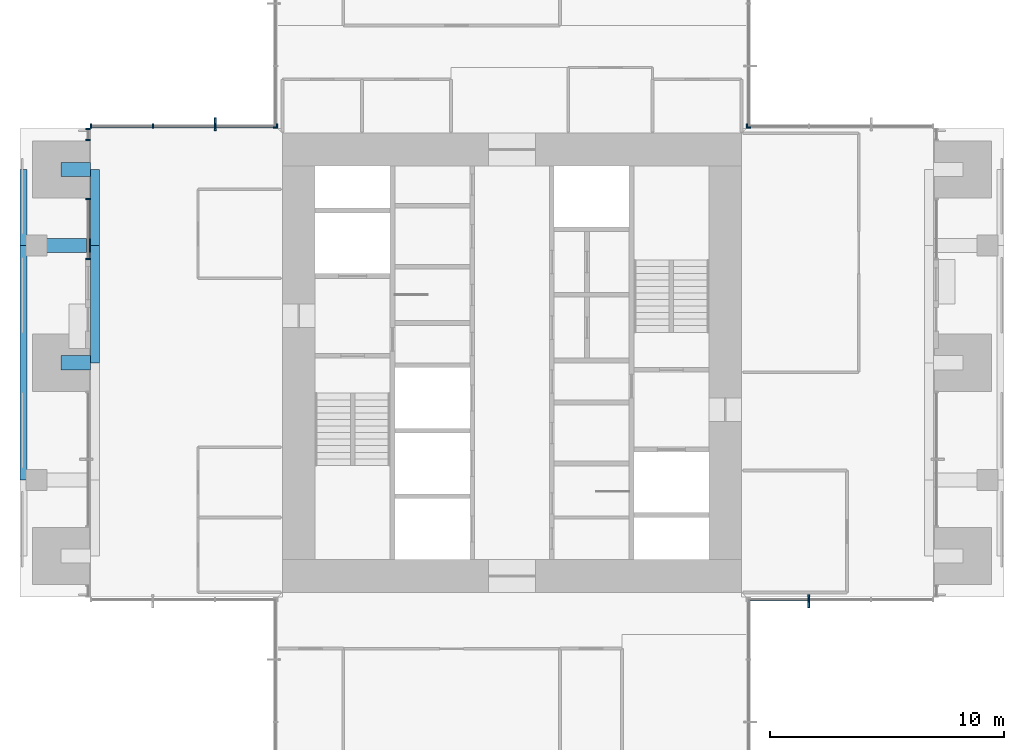
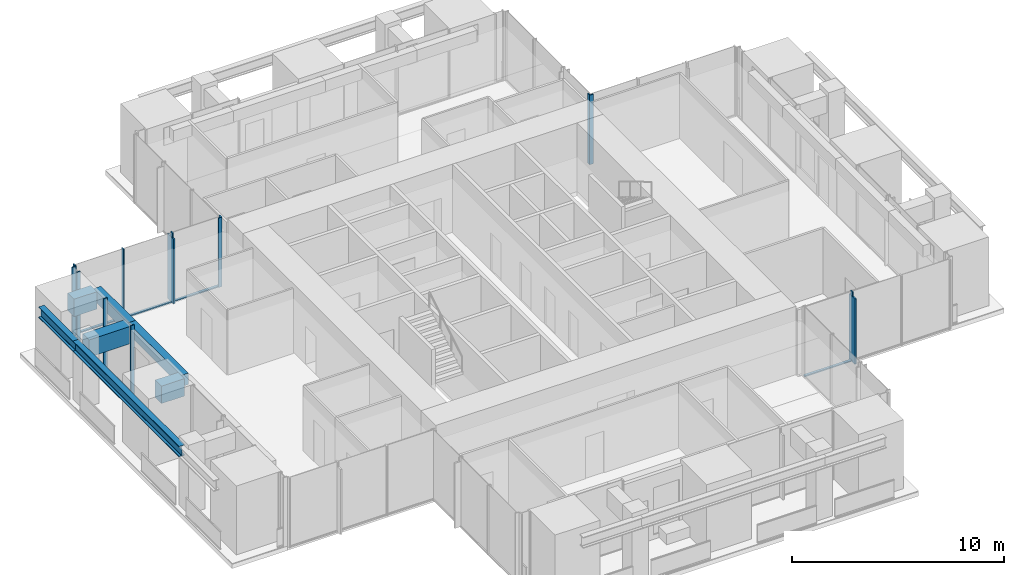
# One storey, part 3 of 17: 19 members, 7 beams, 7 elements without a shape of their own.
"""IFC4 building model written with IfcOpenShell, lengths in metres."""

from ifc_helpers import new_model, si_unit, direction, frame, origin, origin_2d, place, context, subcontext, project, spatial, rectangle, i_section, extrude, material, material_profile, profile_set, type_object, element, aggregate, save


model = new_model("IFC4")

# Units and contexts
model_context = context("Model", 3, precision=1e-05, world=origin(), true_north=direction((0.0, 1.0)))
body_context = subcontext(model_context, "Body", "Model", "MODEL_VIEW")
ifc_project = project(units=[si_unit("LENGTHUNIT", "METRE"), si_unit("AREAUNIT", "SQUARE_METRE"), si_unit("VOLUMEUNIT", "CUBIC_METRE"), si_unit("PLANEANGLEUNIT", "RADIAN"), si_unit("MASSUNIT", "GRAM", prefix="KILO")], contexts=[model_context])

# Site, building, storey
site_placement = place(None, origin())
site = spatial("IfcSite", under=ifc_project, at=site_placement, CompositionType="ELEMENT")
building_placement = place(site_placement, origin())
building = spatial("IfcBuilding", under=site, at=building_placement, Name="Svetlomir Tower", CompositionType="ELEMENT")
storey_placement = place(building_placement, frame((0.0, 0.0, 222.5)))
storey = spatial("IfcBuildingStorey", under=building, at=storey_placement, Name="L53", CompositionType="ELEMENT", Elevation=222.5)

# Curtain wall, member
ifc_material_1 = material(Name="Bronze anodised aluminium curtain wall", Category="aluminium")
curtain_wall_type = type_object("IfcCurtainWallType", Name="CURTAIN WALL CW1 TOWER OFFICE", PredefinedType="NOTDEFINED", material=ifc_material_1)
curtain_wall_1_placement = place(storey_placement, origin())
curtain_wall_1 = element("IfcCurtainWall", 1, at=curtain_wall_1_placement, inside=storey, type_object=curtain_wall_type, Name="Curtain wall CW1 L53", PredefinedType="NOTDEFINED")
ifc_material_2 = material(Name="Bronze anodised aluminium", Category="aluminium")
ifc_material_profile_1 = material_profile(ifc_material_2, rectangle(XDim=0.080078125, YDim=0.550048828125, at=origin_2d()), Name="FIN 80x550")
ifc_profile_set_1 = profile_set([ifc_material_profile_1], Name="Bronze anodised aluminium 6063-T6")
member_type_1 = type_object("IfcMemberType", Name="BRONZE FIN 80x550", PredefinedType="USERDEFINED", material=ifc_profile_set_1)
member_1_placement = place(storey_placement, frame((33.666748046875, 10.824951171875, 0.0), z_axis=(0.0, 0.0, 1.0), x_axis=(1.0, 0.0, 0.0)))
member_1 = element("IfcMember", 2, at=member_1_placement, type_object=member_type_1, Name="Bronze fin L53", ObjectType="FIN", PredefinedType="USERDEFINED", context=body_context, shape_type="SweptSolid", body=[
    extrude(rectangle(XDim=0.080078125, YDim=0.550048828125, at=origin_2d()), origin(), (0.0, 0.0, 1.0), 3.75),
])

curtain_wall_2_placement = place(storey_placement, origin())
curtain_wall_2 = element("IfcCurtainWall", 3, at=curtain_wall_2_placement, inside=storey, type_object=curtain_wall_type, Name="Curtain wall CW1 L53", PredefinedType="NOTDEFINED")
member_2_placement = place(storey_placement, frame((8.333251953125, 31.175048828125, 0.0), z_axis=(0.0, 0.0, 1.0), x_axis=(1.0, 0.0, 0.0)))
member_2 = element("IfcMember", 4, at=member_2_placement, type_object=member_type_1, Name="Bronze fin L53", ObjectType="FIN", PredefinedType="USERDEFINED", context=body_context, shape_type="SweptSolid", body=[
    extrude(rectangle(XDim=0.080078125, YDim=0.550048828125, at=origin_2d()), origin(), (0.0, 0.0, 1.0), 3.75),
])

# Member
ifc_material_3 = material(Name="Bronze anodised aluminium", Category="aluminium")
ifc_material_profile_2 = material_profile(ifc_material_3, rectangle(XDim=0.06494140625, YDim=0.199951171875, at=origin_2d()), Name="AL 65x200")
ifc_profile_set_2 = profile_set([ifc_material_profile_2], Name="Bronze anodised aluminium 6063-T6")
member_type_2 = type_object("IfcMemberType", Name="CW1 MULLION 65x200", PredefinedType="MULLION", material=ifc_profile_set_2)
member_3_placement = place(storey_placement, frame((33.666748046875, 10.89990234375, 0.0), z_axis=(0.0, 0.0, 1.0), x_axis=(1.0, 0.0, 0.0)))
member_3 = element("IfcMember", 5, at=member_3_placement, type_object=member_type_2, Name="CW1 mullion 2", PredefinedType="MULLION", context=body_context, shape_type="SweptSolid", body=[
    extrude(rectangle(XDim=0.06494140625, YDim=0.199951171875, at=origin_2d()), origin(), (0.0, 0.0, 1.0), 4.0),
])

# Curtain wall, member
curtain_wall_3_placement = place(storey_placement, origin())
curtain_wall_3 = element("IfcCurtainWall", 6, at=curtain_wall_3_placement, inside=storey, type_object=curtain_wall_type, Name="Curtain wall CW1 L53", PredefinedType="NOTDEFINED")
member_4_placement = place(storey_placement, frame((31.032470703125, 31.10009765625, 0.0), z_axis=(0.0, 0.0, 1.0), x_axis=(-1.0, 0.0, 0.0)))
member_4 = element("IfcMember", 7, at=member_4_placement, type_object=member_type_2, Name="CW1 mullion 4", PredefinedType="MULLION", context=body_context, shape_type="SweptSolid", body=[
    extrude(rectangle(XDim=0.06494140625, YDim=0.199951171875, at=origin_2d()), origin(), (0.0, 0.0, 1.0), 4.0),
])
aggregate(curtain_wall_3, [member_4])

curtain_wall_4_placement = place(storey_placement, origin())
curtain_wall_4 = element("IfcCurtainWall", 8, at=curtain_wall_4_placement, inside=storey, type_object=curtain_wall_type, Name="Curtain wall CW1 L53", PredefinedType="NOTDEFINED")
member_5_placement = place(storey_placement, frame((31.10009765625, 31.032470703125, 0.0), z_axis=(0.0, 0.0, 1.0), x_axis=(0.0, 1.0, 0.0)))
member_5 = element("IfcMember", 9, at=member_5_placement, type_object=member_type_2, Name="CW1 mullion 1", PredefinedType="MULLION", context=body_context, shape_type="SweptSolid", body=[
    extrude(rectangle(XDim=0.06494140625, YDim=0.199951171875, at=origin_2d()), origin(), (0.0, 0.0, 1.0), 4.0),
])
aggregate(curtain_wall_4, [member_5])

curtain_wall_5_placement = place(storey_placement, origin())
curtain_wall_5 = element("IfcCurtainWall", 10, at=curtain_wall_5_placement, inside=storey, type_object=curtain_wall_type, Name="Curtain wall CW1 L53", PredefinedType="NOTDEFINED")
member_6_placement = place(storey_placement, frame((10.89990234375, 31.032470703125, 0.0), z_axis=(0.0, 0.0, 1.0), x_axis=(0.0, -1.0, 0.0)))
member_6 = element("IfcMember", 11, at=member_6_placement, type_object=member_type_2, Name="CW1 mullion 4", PredefinedType="MULLION", context=body_context, shape_type="SweptSolid", body=[
    extrude(rectangle(XDim=0.06494140625, YDim=0.199951171875, at=origin_2d()), origin(), (0.0, 0.0, 1.0), 4.0),
])
aggregate(curtain_wall_5, [member_6])

# Member
member_7_placement = place(storey_placement, frame((10.967529296875, 31.10009765625, 0.0), z_axis=(0.0, 0.0, 1.0), x_axis=(-1.0, 0.0, 0.0)))
member_7 = element("IfcMember", 12, at=member_7_placement, type_object=member_type_2, Name="CW1 mullion 1", PredefinedType="MULLION", context=body_context, shape_type="SweptSolid", body=[
    extrude(rectangle(XDim=0.06494140625, YDim=0.199951171875, at=origin_2d()), origin(), (0.0, 0.0, 1.0), 4.0),
])

member_8_placement = place(storey_placement, frame((8.333251953125, 31.10009765625, 0.0), z_axis=(0.0, 0.0, 1.0), x_axis=(-1.0, 0.0, 0.0)))
member_8 = element("IfcMember", 13, at=member_8_placement, type_object=member_type_2, Name="CW1 mullion 2", PredefinedType="MULLION", context=body_context, shape_type="SweptSolid", body=[
    extrude(rectangle(XDim=0.06494140625, YDim=0.199951171875, at=origin_2d()), origin(), (0.0, 0.0, 1.0), 4.0),
])

member_9_placement = place(storey_placement, frame((5.666748046875, 31.10009765625, 0.0), z_axis=(0.0, 0.0, 1.0), x_axis=(-1.0, 0.0, 0.0)))
member_9 = element("IfcMember", 14, at=member_9_placement, type_object=member_type_2, Name="CW1 mullion 3", PredefinedType="MULLION", context=body_context, shape_type="SweptSolid", body=[
    extrude(rectangle(XDim=0.06494140625, YDim=0.199951171875, at=origin_2d()), origin(), (0.0, 0.0, 1.0), 4.0),
])

member_10_placement = place(storey_placement, frame((3.032470703125, 31.10009765625, 0.0), z_axis=(0.0, 0.0, 1.0), x_axis=(-1.0, 0.0, 0.0)))
member_10 = element("IfcMember", 15, at=member_10_placement, type_object=member_type_2, Name="CW1 mullion 4", PredefinedType="MULLION", context=body_context, shape_type="SweptSolid", body=[
    extrude(rectangle(XDim=0.06494140625, YDim=0.199951171875, at=origin_2d()), origin(), (0.0, 0.0, 1.0), 4.0),
])

# Curtain wall, members
curtain_wall_6_placement = place(storey_placement, origin())
curtain_wall_6 = element("IfcCurtainWall", 16, at=curtain_wall_6_placement, inside=storey, type_object=curtain_wall_type, Name="Curtain wall CW1 L53", PredefinedType="NOTDEFINED")
member_11_placement = place(storey_placement, frame((2.89990234375, 30.967529296875, 0.0), z_axis=(0.0, 0.0, 1.0), x_axis=(0.0, -1.0, 0.0)))
member_11 = element("IfcMember", 17, at=member_11_placement, type_object=member_type_2, Name="CW1 mullion 1", PredefinedType="MULLION", context=body_context, shape_type="SweptSolid", body=[
    extrude(rectangle(XDim=0.06494140625, YDim=0.199951171875, at=origin_2d()), origin(), (0.0, 0.0, 1.0), 4.0),
])
member_12_placement = place(storey_placement, frame((2.89990234375, 30.507568359375, 0.0), z_axis=(0.0, 0.0, 1.0), x_axis=(0.0, -1.0, 0.0)))
member_12 = element("IfcMember", 18, at=member_12_placement, type_object=member_type_2, Name="CW1 mullion 2", PredefinedType="MULLION", context=body_context, shape_type="SweptSolid", body=[
    extrude(rectangle(XDim=0.06494140625, YDim=0.199951171875, at=origin_2d()), origin(), (0.0, 0.0, 1.0), 4.0),
])
aggregate(curtain_wall_6, [member_11, member_12])

curtain_wall_7_placement = place(storey_placement, origin())
curtain_wall_7 = element("IfcCurtainWall", 19, at=curtain_wall_7_placement, inside=storey, type_object=curtain_wall_type, Name="Curtain wall CW1 L53", PredefinedType="NOTDEFINED")
member_13_placement = place(storey_placement, frame((2.89990234375, 27.992431640625, 0.0), z_axis=(0.0, 0.0, 1.0), x_axis=(0.0, -1.0, 0.0)))
member_13 = element("IfcMember", 20, at=member_13_placement, type_object=member_type_2, Name="CW1 mullion 1", PredefinedType="MULLION", context=body_context, shape_type="SweptSolid", body=[
    extrude(rectangle(XDim=0.06494140625, YDim=0.199951171875, at=origin_2d()), origin(), (0.0, 0.0, 1.0), 4.0),
])
member_14_placement = place(storey_placement, frame((2.89990234375, 25.4326171875, 0.0), z_axis=(0.0, 0.0, 1.0), x_axis=(0.0, -1.0, 0.0)))
member_14 = element("IfcMember", 21, at=member_14_placement, type_object=member_type_2, Name="CW1 mullion 2", PredefinedType="MULLION", context=body_context, shape_type="SweptSolid", body=[
    extrude(rectangle(XDim=0.06494140625, YDim=0.199951171875, at=origin_2d()), origin(), (0.0, 0.0, 1.0), 4.0),
])

# Member
ifc_material_4 = material(Name="Bronze anodised aluminium", Category="aluminium")
ifc_material_profile_3 = material_profile(ifc_material_4, rectangle(XDim=0.139892578125, YDim=0.06494140625, at=origin_2d()), Name="AL 140x65")
ifc_profile_set_3 = profile_set([ifc_material_profile_3], Name="Bronze anodised aluminium 6063-T6")
member_type_3 = type_object("IfcMemberType", Name="CW1 TRANSOM 65x140", PredefinedType="USERDEFINED", material=ifc_profile_set_3)
member_15_placement = place(storey_placement, frame((31.06494140625, 10.89990234375, 0.032470703125), z_axis=(1.0, 0.0, 0.0), x_axis=(0.0, 1.0, 0.0)))
member_15 = element("IfcMember", 22, at=member_15_placement, type_object=member_type_3, Name="CW1 transom 1.1", ObjectType="TRANSOM", PredefinedType="USERDEFINED", context=body_context, shape_type="SweptSolid", body=[
    extrude(rectangle(XDim=0.139892578125, YDim=0.06494140625, at=origin_2d()), origin(), (0.0, 0.0, 1.0), 2.5693359375),
])

aggregate(curtain_wall_1, [member_3, member_15, member_1])

member_16_placement = place(storey_placement, frame((10.93505859375, 31.10009765625, 0.032470703125), z_axis=(-1.0, 0.0, 0.0), x_axis=(0.0, -1.0, 0.0)))
member_16 = element("IfcMember", 23, at=member_16_placement, type_object=member_type_3, Name="CW1 transom 1.1", ObjectType="TRANSOM", PredefinedType="USERDEFINED", context=body_context, shape_type="SweptSolid", body=[
    extrude(rectangle(XDim=0.139892578125, YDim=0.06494140625, at=origin_2d()), origin(), (0.0, 0.0, 1.0), 2.5693359375),
])

member_17_placement = place(storey_placement, frame((8.30078125, 31.10009765625, 0.032470703125), z_axis=(-1.0, 0.0, 0.0), x_axis=(0.0, -1.0, 0.0)))
member_17 = element("IfcMember", 24, at=member_17_placement, type_object=member_type_3, Name="CW1 transom 2.1", ObjectType="TRANSOM", PredefinedType="USERDEFINED", context=body_context, shape_type="SweptSolid", body=[
    extrude(rectangle(XDim=0.139892578125, YDim=0.06494140625, at=origin_2d()), origin(), (0.0, 0.0, 1.0), 2.6015625),
])

member_18_placement = place(storey_placement, frame((5.63427734375, 31.10009765625, 0.032470703125), z_axis=(-1.0, 0.0, 0.0), x_axis=(0.0, -1.0, 0.0)))
member_18 = element("IfcMember", 25, at=member_18_placement, type_object=member_type_3, Name="CW1 transom 3.1", ObjectType="TRANSOM", PredefinedType="USERDEFINED", context=body_context, shape_type="SweptSolid", body=[
    extrude(rectangle(XDim=0.139892578125, YDim=0.06494140625, at=origin_2d()), origin(), (0.0, 0.0, 1.0), 2.5693359375),
])

aggregate(curtain_wall_2, [member_7, member_8, member_9, member_10, member_16, member_17, member_18, member_2])

member_19_placement = place(storey_placement, frame((2.89990234375, 27.9599609375, 0.032470703125), z_axis=(0.0, -1.0, 0.0), x_axis=(1.0, 0.0, 0.0)))
member_19 = element("IfcMember", 26, at=member_19_placement, type_object=member_type_3, Name="CW1 transom 1.1", ObjectType="TRANSOM", PredefinedType="USERDEFINED", context=body_context, shape_type="SweptSolid", body=[
    extrude(rectangle(XDim=0.139892578125, YDim=0.06494140625, at=origin_2d()), origin(), (0.0, 0.0, 1.0), 2.494873046875),
])

aggregate(curtain_wall_7, [member_13, member_14, member_19])

# Beams
ifc_material_5 = material(Name="Steel S355", Category="steel")
ifc_material_profile_4 = material_profile(ifc_material_5, i_section(OverallWidth=0.304931640625, OverallDepth=0.6201171875, WebThickness=0.02099609375, FlangeThickness=0.0400390625, FilletRadius=0.027099609375, at=origin_2d()), Name="HEM 600")
ifc_profile_set_4 = profile_set([ifc_material_profile_4], Name="Steel S355")
beam_type_1 = type_object("IfcBeamType", Name="EDGE BEAM HEM 600", PredefinedType="SPANDREL", material=ifc_profile_set_4)
beam_1_placement = place(storey_placement, frame((0.152587890625, 16.0, 3.43994140625), z_axis=(0.0, 1.0, 0.0), x_axis=(-1.0, 0.0, 0.0)))
element("IfcBeam", 27, at=beam_1_placement, inside=storey, type_object=beam_type_1, Name="Edge beam 0/16 to 0/26 under L54", PredefinedType="SPANDREL", context=body_context, shape_type="SweptSolid", body=[
    extrude(i_section(OverallWidth=0.304931640625, OverallDepth=0.6201171875, WebThickness=0.02099609375, FlangeThickness=0.0400390625, FilletRadius=0.027099609375, at=origin_2d()), origin(), (0.0, 0.0, 1.0), 10.0),
])
beam_2_placement = place(storey_placement, frame((0.152587890625, 26.0, 3.43994140625), z_axis=(0.0, 1.0, 0.0), x_axis=(-1.0, 0.0, 0.0)))
element("IfcBeam", 28, at=beam_2_placement, inside=storey, type_object=beam_type_1, Name="Edge beam 0/26 to 0/31 under L54", PredefinedType="SPANDREL", context=body_context, shape_type="SweptSolid", body=[
    extrude(i_section(OverallWidth=0.304931640625, OverallDepth=0.6201171875, WebThickness=0.02099609375, FlangeThickness=0.0400390625, FilletRadius=0.027099609375, at=origin_2d()), origin(), (0.0, 0.0, 1.0), 3.25),
])
ifc_material_6 = material(Name="Concrete C60/75", Category="concrete")
ifc_material_profile_5 = material_profile(ifc_material_6, rectangle(XDim=0.39990234375, YDim=0.64990234375, at=origin_2d()), Name="RC 400x650")
ifc_profile_set_5 = profile_set([ifc_material_profile_5], Name="Concrete C60/75")
beam_type_2 = type_object("IfcBeamType", Name="FACADE EDGE BEAM RC 400x650", PredefinedType="BEAM", material=ifc_profile_set_5)
beam_3_placement = place(storey_placement, frame((3.199951171875, 21.0, 3.425048828125), z_axis=(0.0, 1.0, 0.0), x_axis=(-1.0, 0.0, 0.0)))
element("IfcBeam", 29, at=beam_3_placement, inside=storey, type_object=beam_type_2, Name="Facade edge beam W 21 to 26 under L54", PredefinedType="BEAM", context=body_context, shape_type="SweptSolid", body=[
    extrude(rectangle(XDim=0.39990234375, YDim=0.64990234375, at=origin_2d()), origin(), (0.0, 0.0, 1.0), 5.0),
])
beam_4_placement = place(storey_placement, frame((3.199951171875, 26.0, 3.425048828125), z_axis=(0.0, 1.0, 0.0), x_axis=(-1.0, 0.0, 0.0)))
element("IfcBeam", 30, at=beam_4_placement, inside=storey, type_object=beam_type_2, Name="Facade edge beam W 26 to 31 under L54", PredefinedType="BEAM", context=body_context, shape_type="SweptSolid", body=[
    extrude(rectangle(XDim=0.39990234375, YDim=0.64990234375, at=origin_2d()), origin(), (0.0, 0.0, 1.0), 3.25),
])
ifc_material_7 = material(Name="Concrete C60/75", Category="concrete")
ifc_material_profile_6 = material_profile(ifc_material_7, rectangle(XDim=0.60009765625, YDim=1.0, at=origin_2d()), Name="RC 600x1000")
ifc_profile_set_6 = profile_set([ifc_material_profile_6], Name="Concrete C60/75")
beam_type_3 = type_object("IfcBeamType", Name="LOGGIA LINK BEAM RC 600x1000", PredefinedType="BEAM", material=ifc_profile_set_6)
beam_5_placement = place(storey_placement, frame((1.75, 21.0, 3.25), z_axis=(1.0, 0.0, 0.0), x_axis=(0.0, 1.0, 0.0)))
element("IfcBeam", 31, at=beam_5_placement, inside=storey, type_object=beam_type_3, Name="Loggia link beam W 21 under L54", PredefinedType="BEAM", context=body_context, shape_type="SweptSolid", body=[
    extrude(rectangle(XDim=0.60009765625, YDim=1.0, at=origin_2d()), origin(), (0.0, 0.0, 1.0), 1.25),
])
beam_6_placement = place(storey_placement, frame((0.699951171875, 26.0, 3.25), z_axis=(1.0, 0.0, 0.0), x_axis=(0.0, 1.0, 0.0)))
element("IfcBeam", 32, at=beam_6_placement, inside=storey, type_object=beam_type_3, Name="Loggia link beam W 26 under L54", PredefinedType="BEAM", context=body_context, shape_type="SweptSolid", body=[
    extrude(rectangle(XDim=0.60009765625, YDim=1.0, at=origin_2d()), origin(), (0.0, 0.0, 1.0), 2.300048828125),
])
beam_7_placement = place(storey_placement, frame((1.75, 29.25, 3.25), z_axis=(1.0, 0.0, 0.0), x_axis=(0.0, 1.0, 0.0)))
element("IfcBeam", 33, at=beam_7_placement, inside=storey, type_object=beam_type_3, Name="Loggia link beam W 31 under L54", PredefinedType="BEAM", context=body_context, shape_type="SweptSolid", body=[
    extrude(rectangle(XDim=0.60009765625, YDim=1.0, at=origin_2d()), origin(), (0.0, 0.0, 1.0), 1.25),
])

save(model, "model.ifc")
